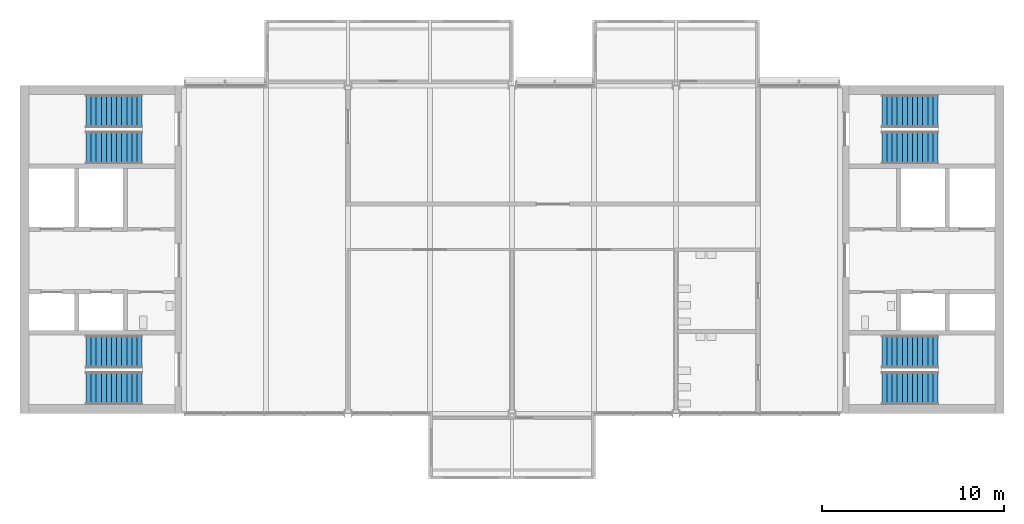
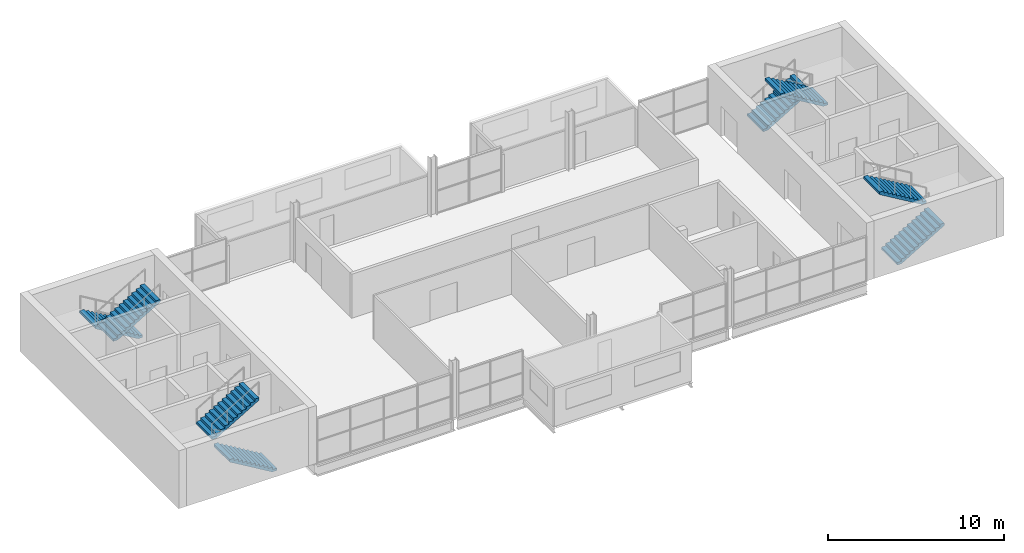
# One storey, part 7 of 10: 8 stair flights, 4 elements without a shape of their own.
"""IFC4 building model written with IfcOpenShell, lengths in metres."""

from ifc_helpers import new_model, si_unit, direction, frame, origin, place, context, subcontext, project, spatial, polyline, outline, extrude, material, type_object, element, aggregate, save


model = new_model("IFC4")

# Units and contexts
model_context = context("Model", 3, precision=1e-05, world=origin(), true_north=direction((0.0, 1.0)))
body_context = subcontext(model_context, "Body", "Model", "MODEL_VIEW")
ifc_project = project(units=[si_unit("LENGTHUNIT", "METRE"), si_unit("AREAUNIT", "SQUARE_METRE"), si_unit("VOLUMEUNIT", "CUBIC_METRE"), si_unit("PLANEANGLEUNIT", "RADIAN"), si_unit("MASSUNIT", "GRAM", prefix="KILO")], contexts=[model_context])

# Site, building, storey
site_placement = place(None, origin())
site = spatial("IfcSite", under=ifc_project, at=site_placement, CompositionType="ELEMENT")
building_placement = place(site_placement, origin())
building = spatial("IfcBuilding", under=site, at=building_placement, Name="Corbel Yard City Hall", CompositionType="ELEMENT")
storey_placement = place(building_placement, frame((0.0, 0.0, 47.199951171875)))
storey = spatial("IfcBuildingStorey", under=building, at=storey_placement, Name="L11", CompositionType="ELEMENT", Elevation=47.199951171875)

# Stair, stair flights
ifc_material = material(Name="Concrete N40 (40 MPa)", Category="concrete")
stair_type = type_object("IfcStairType", Name="ST4", PredefinedType="HALF_TURN_STAIR", material=ifc_material)
stair_1_placement = place(storey_placement, origin())
stair_1 = element("IfcStair", 1, at=stair_1_placement, inside=storey, type_object=stair_type, Name="Exit stair ST-W1 L11", PredefinedType="HALF_TURN_STAIR")
stair_flight_type = type_object("IfcStairFlightType", Name="FL4", PredefinedType="STRAIGHT", material=ifc_material)
stair_flight_1_placement = place(storey_placement, frame((6.699951171875, 100.39990234375, 0.0), z_axis=(0.0, 0.0, 1.0), x_axis=(-1.0, 0.0, 0.0)))
stair_flight_1 = element("IfcStairFlight", 2, at=stair_flight_1_placement, type_object=stair_flight_type, Name="ST-W1 flight 1", NumberOfRisers=12, NumberOfTreads=11, PredefinedType="STRAIGHT", RiserHeight=0.166667, TreadLength=0.28, context=body_context, shape_type="SweptSolid", body=[
    extrude(outline(polyline([(0.0, 0.0), (0.0, 0.166748046875), (0.280029296875, 0.166748046875), (0.280029296875, 0.333251953125), (0.56005859375, 0.333251953125), (0.56005859375, 0.5), (0.840087890625, 0.5), (0.840087890625, 0.666748046875), (1.1201171875, 0.666748046875), (1.1201171875, 0.833251953125), (1.39990234375, 0.833251953125), (1.39990234375, 1.0), (1.679931640625, 1.0), (1.679931640625, 1.166748046875), (1.9599609375, 1.166748046875), (1.9599609375, 1.333251953125), (2.239990234375, 1.333251953125), (2.239990234375, 1.5), (2.52001953125, 1.5), (2.52001953125, 1.666748046875), (2.800048828125, 1.666748046875), (2.800048828125, 1.833251953125), (3.080078125, 1.833251953125), (3.080078125, 2.0), (3.080078125, 1.658935546875), (0.29296875, 0.0), (0.0, 0.0)])), frame((0.0, 0.89990234375, 0.0), z_axis=(0.0, -1.0, 0.0), x_axis=(1.0, 0.0, 0.0)), (0.0, 0.0, 1.0), 1.800048828125),
])
stair_flight_2_placement = place(storey_placement, frame((3.6201171875, 102.39990234375, 2.0), z_axis=(0.0, 0.0, 1.0), x_axis=(1.0, 0.0, 0.0)))
stair_flight_2 = element("IfcStairFlight", 3, at=stair_flight_2_placement, type_object=stair_flight_type, Name="ST-W1 flight 2", NumberOfRisers=12, NumberOfTreads=11, PredefinedType="STRAIGHT", RiserHeight=0.166667, TreadLength=0.28, context=body_context, shape_type="SweptSolid", body=[
    extrude(outline(polyline([(0.0, 0.0), (0.0, 0.166748046875), (0.280029296875, 0.166748046875), (0.280029296875, 0.333251953125), (0.56005859375, 0.333251953125), (0.56005859375, 0.5), (0.840087890625, 0.5), (0.840087890625, 0.666748046875), (1.1201171875, 0.666748046875), (1.1201171875, 0.833251953125), (1.39990234375, 0.833251953125), (1.39990234375, 1.0), (1.679931640625, 1.0), (1.679931640625, 1.166748046875), (1.9599609375, 1.166748046875), (1.9599609375, 1.333251953125), (2.239990234375, 1.333251953125), (2.239990234375, 1.5), (2.52001953125, 1.5), (2.52001953125, 1.666748046875), (2.800048828125, 1.666748046875), (2.800048828125, 1.833251953125), (3.080078125, 1.833251953125), (3.080078125, 2.0), (3.080078125, 1.658935546875), (0.29296875, 0.0), (0.0, 0.0)])), frame((0.0, 0.89990234375, 0.0), z_axis=(0.0, -1.0, 0.0), x_axis=(1.0, 0.0, 0.0)), (0.0, 0.0, 1.0), 1.800048828125),
])
aggregate(stair_1, [stair_flight_1, stair_flight_2])

stair_2_placement = place(storey_placement, origin())
stair_2 = element("IfcStair", 4, at=stair_2_placement, inside=storey, type_object=stair_type, Name="Exit stair ST-W2 L11", PredefinedType="HALF_TURN_STAIR")
stair_flight_3_placement = place(storey_placement, frame((6.699951171875, 115.60009765625, 0.0), z_axis=(0.0, 0.0, 1.0), x_axis=(-1.0, 0.0, 0.0)))
stair_flight_3 = element("IfcStairFlight", 5, at=stair_flight_3_placement, type_object=stair_flight_type, Name="ST-W2 flight 1", NumberOfRisers=12, NumberOfTreads=11, PredefinedType="STRAIGHT", RiserHeight=0.166667, TreadLength=0.28, context=body_context, shape_type="SweptSolid", body=[
    extrude(outline(polyline([(0.0, 0.0), (0.0, 0.166748046875), (0.280029296875, 0.166748046875), (0.280029296875, 0.333251953125), (0.56005859375, 0.333251953125), (0.56005859375, 0.5), (0.840087890625, 0.5), (0.840087890625, 0.666748046875), (1.1201171875, 0.666748046875), (1.1201171875, 0.833251953125), (1.39990234375, 0.833251953125), (1.39990234375, 1.0), (1.679931640625, 1.0), (1.679931640625, 1.166748046875), (1.9599609375, 1.166748046875), (1.9599609375, 1.333251953125), (2.239990234375, 1.333251953125), (2.239990234375, 1.5), (2.52001953125, 1.5), (2.52001953125, 1.666748046875), (2.800048828125, 1.666748046875), (2.800048828125, 1.833251953125), (3.080078125, 1.833251953125), (3.080078125, 2.0), (3.080078125, 1.658935546875), (0.29296875, 0.0), (0.0, 0.0)])), frame((0.0, 0.89990234375, 0.0), z_axis=(0.0, -1.0, 0.0), x_axis=(1.0, 0.0, 0.0)), (0.0, 0.0, 1.0), 1.800048828125),
])
stair_flight_4_placement = place(storey_placement, frame((3.6201171875, 113.60009765625, 2.0), z_axis=(0.0, 0.0, 1.0), x_axis=(1.0, 0.0, 0.0)))
stair_flight_4 = element("IfcStairFlight", 6, at=stair_flight_4_placement, type_object=stair_flight_type, Name="ST-W2 flight 2", NumberOfRisers=12, NumberOfTreads=11, PredefinedType="STRAIGHT", RiserHeight=0.166667, TreadLength=0.28, context=body_context, shape_type="SweptSolid", body=[
    extrude(outline(polyline([(0.0, 0.0), (0.0, 0.166748046875), (0.280029296875, 0.166748046875), (0.280029296875, 0.333251953125), (0.56005859375, 0.333251953125), (0.56005859375, 0.5), (0.840087890625, 0.5), (0.840087890625, 0.666748046875), (1.1201171875, 0.666748046875), (1.1201171875, 0.833251953125), (1.39990234375, 0.833251953125), (1.39990234375, 1.0), (1.679931640625, 1.0), (1.679931640625, 1.166748046875), (1.9599609375, 1.166748046875), (1.9599609375, 1.333251953125), (2.239990234375, 1.333251953125), (2.239990234375, 1.5), (2.52001953125, 1.5), (2.52001953125, 1.666748046875), (2.800048828125, 1.666748046875), (2.800048828125, 1.833251953125), (3.080078125, 1.833251953125), (3.080078125, 2.0), (3.080078125, 1.658935546875), (0.29296875, 0.0), (0.0, 0.0)])), frame((0.0, 0.89990234375, 0.0), z_axis=(0.0, -1.0, 0.0), x_axis=(1.0, 0.0, 0.0)), (0.0, 0.0, 1.0), 1.800048828125),
])
aggregate(stair_2, [stair_flight_3, stair_flight_4])

stair_3_placement = place(storey_placement, origin())
stair_3 = element("IfcStair", 7, at=stair_3_placement, inside=storey, type_object=stair_type, Name="Exit stair ST-E1 L11", PredefinedType="HALF_TURN_STAIR")
stair_flight_5_placement = place(storey_placement, frame((47.300048828125, 100.39990234375, 0.0), z_axis=(0.0, 0.0, 1.0), x_axis=(1.0, 0.0, 0.0)))
stair_flight_5 = element("IfcStairFlight", 8, at=stair_flight_5_placement, type_object=stair_flight_type, Name="ST-E1 flight 1", NumberOfRisers=12, NumberOfTreads=11, PredefinedType="STRAIGHT", RiserHeight=0.166667, TreadLength=0.28, context=body_context, shape_type="SweptSolid", body=[
    extrude(outline(polyline([(0.0, 0.0), (0.0, 0.166748046875), (0.280029296875, 0.166748046875), (0.280029296875, 0.333251953125), (0.56005859375, 0.333251953125), (0.56005859375, 0.5), (0.840087890625, 0.5), (0.840087890625, 0.666748046875), (1.1201171875, 0.666748046875), (1.1201171875, 0.833251953125), (1.39990234375, 0.833251953125), (1.39990234375, 1.0), (1.679931640625, 1.0), (1.679931640625, 1.166748046875), (1.9599609375, 1.166748046875), (1.9599609375, 1.333251953125), (2.239990234375, 1.333251953125), (2.239990234375, 1.5), (2.52001953125, 1.5), (2.52001953125, 1.666748046875), (2.800048828125, 1.666748046875), (2.800048828125, 1.833251953125), (3.080078125, 1.833251953125), (3.080078125, 2.0), (3.080078125, 1.658935546875), (0.29296875, 0.0), (0.0, 0.0)])), frame((0.0, 0.89990234375, 0.0), z_axis=(0.0, -1.0, 0.0), x_axis=(1.0, 0.0, 0.0)), (0.0, 0.0, 1.0), 1.800048828125),
])
stair_flight_6_placement = place(storey_placement, frame((50.3798828125, 102.39990234375, 2.0), z_axis=(0.0, 0.0, 1.0), x_axis=(-1.0, 0.0, 0.0)))
stair_flight_6 = element("IfcStairFlight", 9, at=stair_flight_6_placement, type_object=stair_flight_type, Name="ST-E1 flight 2", NumberOfRisers=12, NumberOfTreads=11, PredefinedType="STRAIGHT", RiserHeight=0.166667, TreadLength=0.28, context=body_context, shape_type="SweptSolid", body=[
    extrude(outline(polyline([(0.0, 0.0), (0.0, 0.166748046875), (0.280029296875, 0.166748046875), (0.280029296875, 0.333251953125), (0.56005859375, 0.333251953125), (0.56005859375, 0.5), (0.840087890625, 0.5), (0.840087890625, 0.666748046875), (1.1201171875, 0.666748046875), (1.1201171875, 0.833251953125), (1.39990234375, 0.833251953125), (1.39990234375, 1.0), (1.679931640625, 1.0), (1.679931640625, 1.166748046875), (1.9599609375, 1.166748046875), (1.9599609375, 1.333251953125), (2.239990234375, 1.333251953125), (2.239990234375, 1.5), (2.52001953125, 1.5), (2.52001953125, 1.666748046875), (2.800048828125, 1.666748046875), (2.800048828125, 1.833251953125), (3.080078125, 1.833251953125), (3.080078125, 2.0), (3.080078125, 1.658935546875), (0.29296875, 0.0), (0.0, 0.0)])), frame((0.0, 0.89990234375, 0.0), z_axis=(0.0, -1.0, 0.0), x_axis=(1.0, 0.0, 0.0)), (0.0, 0.0, 1.0), 1.800048828125),
])
aggregate(stair_3, [stair_flight_5, stair_flight_6])

stair_4_placement = place(storey_placement, origin())
stair_4 = element("IfcStair", 10, at=stair_4_placement, inside=storey, type_object=stair_type, Name="Exit stair ST-E2 L11", PredefinedType="HALF_TURN_STAIR")
stair_flight_7_placement = place(storey_placement, frame((47.300048828125, 115.60009765625, 0.0), z_axis=(0.0, 0.0, 1.0), x_axis=(1.0, 0.0, 0.0)))
stair_flight_7 = element("IfcStairFlight", 11, at=stair_flight_7_placement, type_object=stair_flight_type, Name="ST-E2 flight 1", NumberOfRisers=12, NumberOfTreads=11, PredefinedType="STRAIGHT", RiserHeight=0.166667, TreadLength=0.28, context=body_context, shape_type="SweptSolid", body=[
    extrude(outline(polyline([(0.0, 0.0), (0.0, 0.166748046875), (0.280029296875, 0.166748046875), (0.280029296875, 0.333251953125), (0.56005859375, 0.333251953125), (0.56005859375, 0.5), (0.840087890625, 0.5), (0.840087890625, 0.666748046875), (1.1201171875, 0.666748046875), (1.1201171875, 0.833251953125), (1.39990234375, 0.833251953125), (1.39990234375, 1.0), (1.679931640625, 1.0), (1.679931640625, 1.166748046875), (1.9599609375, 1.166748046875), (1.9599609375, 1.333251953125), (2.239990234375, 1.333251953125), (2.239990234375, 1.5), (2.52001953125, 1.5), (2.52001953125, 1.666748046875), (2.800048828125, 1.666748046875), (2.800048828125, 1.833251953125), (3.080078125, 1.833251953125), (3.080078125, 2.0), (3.080078125, 1.658935546875), (0.29296875, 0.0), (0.0, 0.0)])), frame((0.0, 0.89990234375, 0.0), z_axis=(0.0, -1.0, 0.0), x_axis=(1.0, 0.0, 0.0)), (0.0, 0.0, 1.0), 1.800048828125),
])
stair_flight_8_placement = place(storey_placement, frame((50.3798828125, 113.60009765625, 2.0), z_axis=(0.0, 0.0, 1.0), x_axis=(-1.0, 0.0, 0.0)))
stair_flight_8 = element("IfcStairFlight", 12, at=stair_flight_8_placement, type_object=stair_flight_type, Name="ST-E2 flight 2", NumberOfRisers=12, NumberOfTreads=11, PredefinedType="STRAIGHT", RiserHeight=0.166667, TreadLength=0.28, context=body_context, shape_type="SweptSolid", body=[
    extrude(outline(polyline([(0.0, 0.0), (0.0, 0.166748046875), (0.280029296875, 0.166748046875), (0.280029296875, 0.333251953125), (0.56005859375, 0.333251953125), (0.56005859375, 0.5), (0.840087890625, 0.5), (0.840087890625, 0.666748046875), (1.1201171875, 0.666748046875), (1.1201171875, 0.833251953125), (1.39990234375, 0.833251953125), (1.39990234375, 1.0), (1.679931640625, 1.0), (1.679931640625, 1.166748046875), (1.9599609375, 1.166748046875), (1.9599609375, 1.333251953125), (2.239990234375, 1.333251953125), (2.239990234375, 1.5), (2.52001953125, 1.5), (2.52001953125, 1.666748046875), (2.800048828125, 1.666748046875), (2.800048828125, 1.833251953125), (3.080078125, 1.833251953125), (3.080078125, 2.0), (3.080078125, 1.658935546875), (0.29296875, 0.0), (0.0, 0.0)])), frame((0.0, 0.89990234375, 0.0), z_axis=(0.0, -1.0, 0.0), x_axis=(1.0, 0.0, 0.0)), (0.0, 0.0, 1.0), 1.800048828125),
])
aggregate(stair_4, [stair_flight_7, stair_flight_8])

save(model, "model.ifc")
